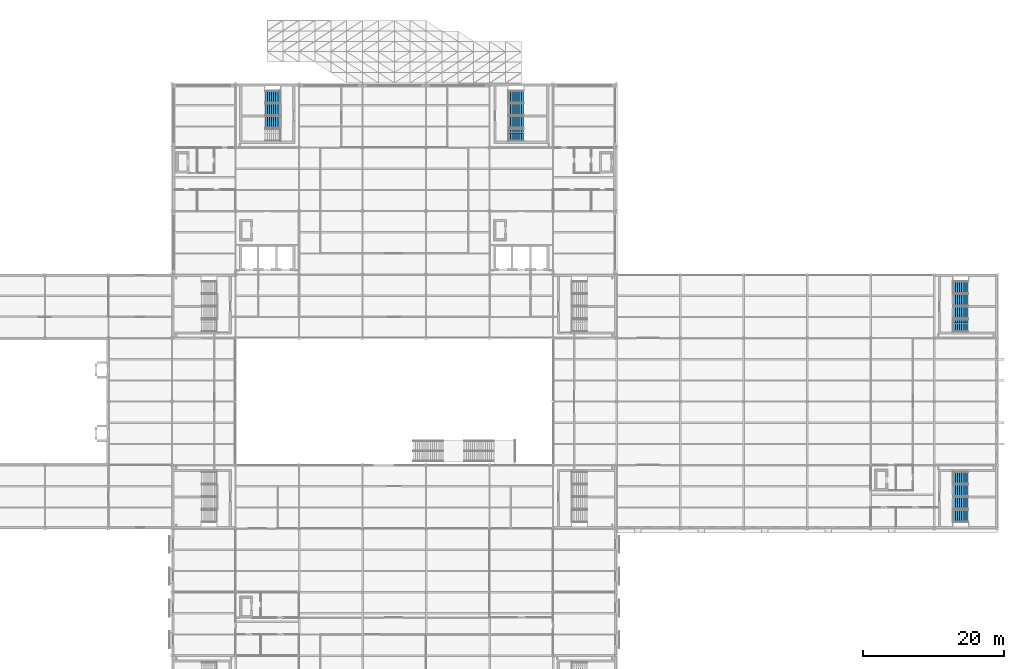
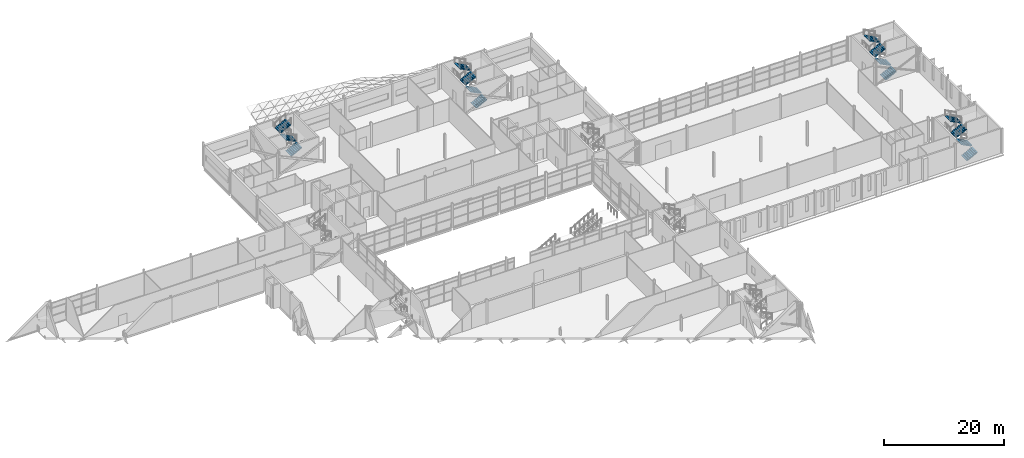
# One storey, part 93 of 112: 15 stair flights, 4 elements without a shape of their own.
"""IFC4 building model written with IfcOpenShell, lengths in metres."""

import ifcopenshell
import ifcopenshell.guid

model = None  # the IFC model being written
_history = None  # IfcOwnerHistory: only IFC2X3 demands one
_inside = {}  # id of a spatial element -> (the spatial element, [elements in it])
_under = {}  # id of a project, library or spatial element -> (it, [spatial elements below it])
_declared = {}  # id of a project -> (the project, [libraries it declares])
_typed = {}  # id of a type object -> (the type object, [elements of that type])
_made_of = {}  # id of a material, layer set ... -> (it, [elements and type objects made of it])


def new_model(schema):
    """Start an empty IFC model of exactly this schema.

    Asked for "IFC4X3", IfcOpenShell would pick the latest addendum, in which some entities
    have other attributes; the version numbers below select the first issue.
    IFC2X3 requires an IfcOwnerHistory on every rooted entity: one is made here for all.
    """
    global model, _history
    if schema == "IFC4X3":
        model = ifcopenshell.file(schema_version=(4, 3, 0, 0))
    else:
        model = ifcopenshell.file(schema=schema)
    _inside.clear()
    _under.clear()
    _declared.clear()
    _typed.clear()
    _made_of.clear()
    _history = None
    if model.schema == "IFC2X3":
        org = make("IfcOrganization", Name="unknown")
        user = make(
            "IfcPersonAndOrganization",
            ThePerson=make("IfcPerson", FamilyName="unknown"),
            TheOrganization=org,
        )
        app = make(
            "IfcApplication",
            ApplicationDeveloper=org,
            Version="unknown",
            ApplicationFullName="unknown",
            ApplicationIdentifier="unknown",
        )
        _history = make(
            "IfcOwnerHistory",
            OwningUser=user,
            OwningApplication=app,
            ChangeAction="ADDED",
            CreationDate=0,
        )
    return model


def make(cls, **values):
    """One entity of the class cls with the attributes given. An attribute that is None is left unset."""
    return model.create_entity(
        cls, **{name: value for name, value in values.items() if value is not None}
    )


def rooted(cls, **values):
    """An entity with a GlobalId (a new one), such as an element, a storey or a relation."""
    return make(cls, GlobalId=ifcopenshell.guid.new(), OwnerHistory=_history, **values)


def si_unit(unit_type, name, prefix=None):
    """IfcSIUnit, for example si_unit("LENGTHUNIT", "METRE", prefix="MILLI")."""
    return make("IfcSIUnit", UnitType=unit_type, Prefix=prefix, Name=name)


def assignment(units):
    """IfcUnitAssignment: the units of a project."""
    return None if units is None else make("IfcUnitAssignment", Units=units)


def point(xyz):
    """IfcCartesianPoint."""
    return None if xyz is None else make("IfcCartesianPoint", Coordinates=xyz)


def direction(xyz):
    """IfcDirection."""
    return None if xyz is None else make("IfcDirection", DirectionRatios=xyz)


def frame(location, z_axis=None, x_axis=None):
    """IfcAxis2Placement3D, a coordinate frame: its origin and axes. An axis left out is left unset."""
    return make(
        "IfcAxis2Placement3D",
        Location=point(location),
        Axis=direction(z_axis),
        RefDirection=direction(x_axis),
    )


def origin():
    """The frame at (0, 0, 0) with its axes left unset."""
    return frame((0.0, 0.0, 0.0))


def place(relative_to, where):
    """IfcLocalPlacement: puts the frame where relative to a parent placement (None: the world)."""
    return make(
        "IfcLocalPlacement", PlacementRelTo=relative_to, RelativePlacement=where
    )


def context(
    kind, dimensions, precision=None, world=None, true_north=None, identifier=None
):
    """IfcGeometricRepresentationContext, for example the 3D "Model" context."""
    return make(
        "IfcGeometricRepresentationContext",
        ContextIdentifier=identifier,
        ContextType=kind,
        CoordinateSpaceDimension=dimensions,
        Precision=precision,
        WorldCoordinateSystem=world,
        TrueNorth=true_north,
    )


def subcontext(parent, identifier, kind, view, scale=None):
    """IfcGeometricRepresentationSubContext, for example "Body" below "Model"."""
    return make(
        "IfcGeometricRepresentationSubContext",
        ContextIdentifier=identifier,
        ContextType=kind,
        ParentContext=parent,
        TargetScale=scale,
        TargetView=view,
    )


def project(units=None, contexts=None):
    """IfcProject with its units and contexts."""
    return rooted(
        "IfcProject",
        Name="project",
        RepresentationContexts=contexts,
        UnitsInContext=assignment(units),
    )


def spatial(cls, under=None, at=None, **own):
    """A site, building, storey or space (cls), placed at a placement, below another one or the project."""
    s = rooted(cls, ObjectPlacement=at, **own)
    if under is not None:
        _under.setdefault(under.id(), (under, []))[1].append(s)
    return s


def polyline(points):
    """IfcPolyline through the points."""
    return make("IfcPolyline", Points=[point(p) for p in points])


def outline(outer, holes=None, kind="AREA"):
    """IfcArbitraryClosedProfileDef: a profile drawn as a closed curve; with holes, ...WithVoids."""
    if holes is None:
        return make("IfcArbitraryClosedProfileDef", ProfileType=kind, OuterCurve=outer)
    return make(
        "IfcArbitraryProfileDefWithVoids",
        ProfileType=kind,
        OuterCurve=outer,
        InnerCurves=holes,
    )


def extrude(swept, where, along, depth):
    """IfcExtrudedAreaSolid: the profile swept, set in the frame where, extruded along a direction by depth."""
    return make(
        "IfcExtrudedAreaSolid",
        SweptArea=swept,
        Position=where,
        ExtrudedDirection=direction(along),
        Depth=depth,
    )


def shape(context_of_items, identifier, shape_type, items):
    """IfcShapeRepresentation: the items that make up one representation, for example the "Body"."""
    return make(
        "IfcShapeRepresentation",
        ContextOfItems=context_of_items,
        RepresentationIdentifier=identifier,
        RepresentationType=shape_type,
        Items=items,
    )


def material(Name=None, Category=None):
    """IfcMaterial."""
    return make("IfcMaterial", Name=Name, Category=Category)


def made_of(thing, what):
    """Note that an element or type object is made of a material, layer set ...; save() writes the relation."""
    if what is not None:
        _made_of.setdefault(what.id(), (what, []))[1].append(thing)
    return thing


def type_object(cls, material=None, **own):
    """A type object (cls), such as IfcWallType, which elements share."""
    return made_of(rooted(cls, **own), material)


def element(
    cls,
    number,
    at=None,
    inside=None,
    cuts=None,
    type_object=None,
    material=None,
    context=None,
    identifier="Body",
    shape_type=None,
    held_by="IfcProductDefinitionShape",
    body=None,
    shapes=None,
    **own,
):
    """One element of the class cls, such as IfcWall. Its Tag is "e" and its number.

    at: its placement. inside: the storey or other place that contains it. cuts: it is an
    opening in that element (IfcRelVoidsElement). A single representation is given by context,
    identifier, shape_type and body (its items); several are given by shapes. held_by: the class
    of the entity that holds the representations. save() writes the other relations.
    """
    e = rooted(cls, Tag="e%d" % number, ObjectPlacement=at, **own)
    if body is not None:
        shapes = [shape(context, identifier, shape_type, body)]
    if shapes is not None:
        e.Representation = make(held_by, Representations=shapes)
    if inside is not None:
        _inside.setdefault(inside.id(), (inside, []))[1].append(e)
    if cuts is not None:
        rooted(
            "IfcRelVoidsElement", RelatingBuildingElement=cuts, RelatedOpeningElement=e
        )
    if type_object is not None:
        _typed.setdefault(type_object.id(), (type_object, []))[1].append(e)
    return made_of(e, material)


def aggregate(whole, parts):
    """IfcRelAggregates: a whole, such as a stair, and the parts it consists of."""
    return rooted("IfcRelAggregates", RelatingObject=whole, RelatedObjects=parts)


def save(model, path):
    """Write the relations noted so far, then the file.

    IfcRelAggregates (storeys below a building ...), IfcRelContainedInSpatialStructure (elements
    in a storey), IfcRelDefinesByType, IfcRelAssociatesMaterial and IfcRelDeclares: one each for
    every whole, place, type object, material and project.
    """
    for whole, parts in _under.values():
        aggregate(whole, parts)
    for where, things in _inside.values():
        rooted(
            "IfcRelContainedInSpatialStructure",
            RelatedElements=things,
            RelatingStructure=where,
        )
    for kind, things in _typed.values():
        rooted("IfcRelDefinesByType", RelatedObjects=things, RelatingType=kind)
    for what, things in _made_of.values():
        rooted("IfcRelAssociatesMaterial", RelatedObjects=things, RelatingMaterial=what)
    for by, libraries in _declared.values():
        rooted("IfcRelDeclares", RelatingContext=by, RelatedDefinitions=libraries)
    model.write(path)


model = new_model("IFC4")

# Units and contexts
model_context = context("Model", 3, precision=1e-05, world=origin(), true_north=direction((0.0, 1.0)))
body_context = subcontext(model_context, "Body", "Model", "MODEL_VIEW")
ifc_project = project(units=[si_unit("LENGTHUNIT", "METRE"), si_unit("AREAUNIT", "SQUARE_METRE"), si_unit("VOLUMEUNIT", "CUBIC_METRE"), si_unit("PLANEANGLEUNIT", "RADIAN"), si_unit("MASSUNIT", "GRAM", prefix="KILO")], contexts=[model_context])

# Site, building, storey
site_placement = place(None, origin())
site = spatial("IfcSite", under=ifc_project, at=site_placement, CompositionType="ELEMENT")
building_placement = place(site_placement, origin())
building = spatial("IfcBuilding", under=site, at=building_placement, Name="Shorebreak Coast Museum", CompositionType="ELEMENT")
storey_placement = place(building_placement, frame((0.0, 0.0, 6.0)))
storey = spatial("IfcBuildingStorey", under=building, at=storey_placement, Name="L01", CompositionType="ELEMENT", Elevation=6.0)

# Stair, stair flights
ifc_material_1 = material(Name="Concrete N40 (40 MPa)", Category="concrete")
stair_type = type_object("IfcStairType", Name="Stair run 5 m", PredefinedType="DOUBLE_RETURN_STAIR", material=ifc_material_1)
stair_1_placement = place(storey_placement, origin())
stair_1 = element("IfcStair", 1, at=stair_1_placement, inside=storey, type_object=stair_type, Name="Exit stair ST07-L01", PredefinedType="DOUBLE_RETURN_STAIR")
ifc_material_2 = material(Name="Concrete N40 (40 MPa)", Category="concrete")
stair_flight_type = type_object("IfcStairFlightType", Name="Stair flight 8 risers 156.25", PredefinedType="STRAIGHT", material=ifc_material_2)
stair_flight_1_placement = place(storey_placement, frame((164.699951171875, 55.800048828125, 0.0), z_axis=(0.0, 0.0, 1.0), x_axis=(1.0, 0.0, 0.0)))
stair_flight_1 = element("IfcStairFlight", 2, at=stair_flight_1_placement, type_object=stair_flight_type, Name="ST07-L01 flight 1", NumberOfRisers=8, NumberOfTreads=7, PredefinedType="STRAIGHT", RiserHeight=0.15625, TreadLength=0.3, context=body_context, shape_type="SweptSolid", body=[
    extrude(outline(polyline([(0.0, 0.0), (0.0, 0.15625), (0.300048828125, 0.15625), (0.300048828125, 0.3125), (0.60009765625, 0.3125), (0.60009765625, 0.46875), (0.89990234375, 0.46875), (0.89990234375, 0.625), (1.199951171875, 0.625), (1.199951171875, 0.78125), (1.5, 0.78125), (1.5, 0.9375), (1.800048828125, 0.9375), (1.800048828125, 1.09375), (2.10009765625, 1.09375), (2.10009765625, 1.25), (2.10009765625, 0.9248046875), (0.324462890625, 0.0), (0.0, 0.0)])), frame((0.0, 0.89990234375, 0.0), z_axis=(0.0, -1.0, 0.0), x_axis=(1.0, 0.0, 0.0)), (0.0, 0.0, 1.0), 0.59326171875),
    extrude(outline(polyline([(0.0, 0.0), (0.0, 0.15625), (0.300048828125, 0.15625), (0.300048828125, 0.3125), (0.60009765625, 0.3125), (0.60009765625, 0.46875), (0.89990234375, 0.46875), (0.89990234375, 0.625), (1.199951171875, 0.625), (1.199951171875, 0.78125), (1.5, 0.78125), (1.5, 0.9375), (1.800048828125, 0.9375), (1.800048828125, 1.09375), (2.10009765625, 1.09375), (2.10009765625, 1.25), (2.10009765625, 0.9248046875), (0.324462890625, 0.0), (0.0, 0.0)])), frame((0.0, 0.296630859375, 0.0), z_axis=(0.0, -1.0, 0.0), x_axis=(1.0, 0.0, 0.0)), (0.0, 0.0, 1.0), 0.59326171875),
    extrude(outline(polyline([(0.0, 0.0), (0.0, 0.15625), (0.300048828125, 0.15625), (0.300048828125, 0.3125), (0.60009765625, 0.3125), (0.60009765625, 0.46875), (0.89990234375, 0.46875), (0.89990234375, 0.625), (1.199951171875, 0.625), (1.199951171875, 0.78125), (1.5, 0.78125), (1.5, 0.9375), (1.800048828125, 0.9375), (1.800048828125, 1.09375), (2.10009765625, 1.09375), (2.10009765625, 1.25), (2.10009765625, 0.9248046875), (0.324462890625, 0.0), (0.0, 0.0)])), frame((0.0, -0.306640625, 0.0), z_axis=(0.0, -1.0, 0.0), x_axis=(1.0, 0.0, 0.0)), (0.0, 0.0, 1.0), 0.59326171875),
])
stair_flight_2_placement = place(storey_placement, frame((166.800048828125, 57.60009765625, 1.25), z_axis=(0.0, 0.0, 1.0), x_axis=(-1.0, 0.0, 0.0)))
stair_flight_2 = element("IfcStairFlight", 3, at=stair_flight_2_placement, type_object=stair_flight_type, Name="ST07-L01 flight 2", NumberOfRisers=8, NumberOfTreads=7, PredefinedType="STRAIGHT", RiserHeight=0.15625, TreadLength=0.3, context=body_context, shape_type="SweptSolid", body=[
    extrude(outline(polyline([(0.0, 0.0), (0.0, 0.15625), (0.300048828125, 0.15625), (0.300048828125, 0.3125), (0.60009765625, 0.3125), (0.60009765625, 0.46875), (0.89990234375, 0.46875), (0.89990234375, 0.625), (1.199951171875, 0.625), (1.199951171875, 0.78125), (1.5, 0.78125), (1.5, 0.9375), (1.800048828125, 0.9375), (1.800048828125, 1.09375), (2.10009765625, 1.09375), (2.10009765625, 1.25), (2.10009765625, 0.9248046875), (0.324462890625, 0.0), (0.0, 0.0)])), frame((0.0, 0.89990234375, 0.0), z_axis=(0.0, -1.0, 0.0), x_axis=(1.0, 0.0, 0.0)), (0.0, 0.0, 1.0), 0.59326171875),
    extrude(outline(polyline([(0.0, 0.0), (0.0, 0.15625), (0.300048828125, 0.15625), (0.300048828125, 0.3125), (0.60009765625, 0.3125), (0.60009765625, 0.46875), (0.89990234375, 0.46875), (0.89990234375, 0.625), (1.199951171875, 0.625), (1.199951171875, 0.78125), (1.5, 0.78125), (1.5, 0.9375), (1.800048828125, 0.9375), (1.800048828125, 1.09375), (2.10009765625, 1.09375), (2.10009765625, 1.25), (2.10009765625, 0.9248046875), (0.324462890625, 0.0), (0.0, 0.0)])), frame((0.0, 0.296630859375, 0.0), z_axis=(0.0, -1.0, 0.0), x_axis=(1.0, 0.0, 0.0)), (0.0, 0.0, 1.0), 0.59326171875),
    extrude(outline(polyline([(0.0, 0.0), (0.0, 0.15625), (0.300048828125, 0.15625), (0.300048828125, 0.3125), (0.60009765625, 0.3125), (0.60009765625, 0.46875), (0.89990234375, 0.46875), (0.89990234375, 0.625), (1.199951171875, 0.625), (1.199951171875, 0.78125), (1.5, 0.78125), (1.5, 0.9375), (1.800048828125, 0.9375), (1.800048828125, 1.09375), (2.10009765625, 1.09375), (2.10009765625, 1.25), (2.10009765625, 0.9248046875), (0.324462890625, 0.0), (0.0, 0.0)])), frame((0.0, -0.306640625, 0.0), z_axis=(0.0, -1.0, 0.0), x_axis=(1.0, 0.0, 0.0)), (0.0, 0.0, 1.0), 0.59326171875),
])
stair_flight_3_placement = place(storey_placement, frame((164.699951171875, 59.39990234375, 2.5), z_axis=(0.0, 0.0, 1.0), x_axis=(1.0, 0.0, 0.0)))
stair_flight_3 = element("IfcStairFlight", 4, at=stair_flight_3_placement, type_object=stair_flight_type, Name="ST07-L01 flight 3", NumberOfRisers=8, NumberOfTreads=7, PredefinedType="STRAIGHT", RiserHeight=0.15625, TreadLength=0.3, context=body_context, shape_type="SweptSolid", body=[
    extrude(outline(polyline([(0.0, 0.0), (0.0, 0.15625), (0.300048828125, 0.15625), (0.300048828125, 0.3125), (0.60009765625, 0.3125), (0.60009765625, 0.46875), (0.89990234375, 0.46875), (0.89990234375, 0.625), (1.199951171875, 0.625), (1.199951171875, 0.78125), (1.5, 0.78125), (1.5, 0.9375), (1.800048828125, 0.9375), (1.800048828125, 1.09375), (2.10009765625, 1.09375), (2.10009765625, 1.25), (2.10009765625, 0.9248046875), (0.324462890625, 0.0), (0.0, 0.0)])), frame((0.0, 0.89990234375, 0.0), z_axis=(0.0, -1.0, 0.0), x_axis=(1.0, 0.0, 0.0)), (0.0, 0.0, 1.0), 0.59326171875),
    extrude(outline(polyline([(0.0, 0.0), (0.0, 0.15625), (0.300048828125, 0.15625), (0.300048828125, 0.3125), (0.60009765625, 0.3125), (0.60009765625, 0.46875), (0.89990234375, 0.46875), (0.89990234375, 0.625), (1.199951171875, 0.625), (1.199951171875, 0.78125), (1.5, 0.78125), (1.5, 0.9375), (1.800048828125, 0.9375), (1.800048828125, 1.09375), (2.10009765625, 1.09375), (2.10009765625, 1.25), (2.10009765625, 0.9248046875), (0.324462890625, 0.0), (0.0, 0.0)])), frame((0.0, 0.296630859375, 0.0), z_axis=(0.0, -1.0, 0.0), x_axis=(1.0, 0.0, 0.0)), (0.0, 0.0, 1.0), 0.59326171875),
    extrude(outline(polyline([(0.0, 0.0), (0.0, 0.15625), (0.300048828125, 0.15625), (0.300048828125, 0.3125), (0.60009765625, 0.3125), (0.60009765625, 0.46875), (0.89990234375, 0.46875), (0.89990234375, 0.625), (1.199951171875, 0.625), (1.199951171875, 0.78125), (1.5, 0.78125), (1.5, 0.9375), (1.800048828125, 0.9375), (1.800048828125, 1.09375), (2.10009765625, 1.09375), (2.10009765625, 1.25), (2.10009765625, 0.9248046875), (0.324462890625, 0.0), (0.0, 0.0)])), frame((0.0, -0.306640625, 0.0), z_axis=(0.0, -1.0, 0.0), x_axis=(1.0, 0.0, 0.0)), (0.0, 0.0, 1.0), 0.59326171875),
])
stair_flight_4_placement = place(storey_placement, frame((166.800048828125, 61.199951171875, 3.75), z_axis=(0.0, 0.0, 1.0), x_axis=(-1.0, 0.0, 0.0)))
stair_flight_4 = element("IfcStairFlight", 5, at=stair_flight_4_placement, type_object=stair_flight_type, Name="ST07-L01 flight 4", NumberOfRisers=8, NumberOfTreads=7, PredefinedType="STRAIGHT", RiserHeight=0.15625, TreadLength=0.3, context=body_context, shape_type="SweptSolid", body=[
    extrude(outline(polyline([(0.0, 0.0), (0.0, 0.15625), (0.300048828125, 0.15625), (0.300048828125, 0.3125), (0.60009765625, 0.3125), (0.60009765625, 0.46875), (0.89990234375, 0.46875), (0.89990234375, 0.625), (1.199951171875, 0.625), (1.199951171875, 0.78125), (1.5, 0.78125), (1.5, 0.9375), (1.800048828125, 0.9375), (1.800048828125, 1.09375), (2.10009765625, 1.09375), (2.10009765625, 1.25), (2.10009765625, 0.9248046875), (0.324462890625, 0.0), (0.0, 0.0)])), frame((0.0, 0.89990234375, 0.0), z_axis=(0.0, -1.0, 0.0), x_axis=(1.0, 0.0, 0.0)), (0.0, 0.0, 1.0), 0.59326171875),
    extrude(outline(polyline([(0.0, 0.0), (0.0, 0.15625), (0.300048828125, 0.15625), (0.300048828125, 0.3125), (0.60009765625, 0.3125), (0.60009765625, 0.46875), (0.89990234375, 0.46875), (0.89990234375, 0.625), (1.199951171875, 0.625), (1.199951171875, 0.78125), (1.5, 0.78125), (1.5, 0.9375), (1.800048828125, 0.9375), (1.800048828125, 1.09375), (2.10009765625, 1.09375), (2.10009765625, 1.25), (2.10009765625, 0.9248046875), (0.324462890625, 0.0), (0.0, 0.0)])), frame((0.0, 0.296630859375, 0.0), z_axis=(0.0, -1.0, 0.0), x_axis=(1.0, 0.0, 0.0)), (0.0, 0.0, 1.0), 0.59326171875),
    extrude(outline(polyline([(0.0, 0.0), (0.0, 0.15625), (0.300048828125, 0.15625), (0.300048828125, 0.3125), (0.60009765625, 0.3125), (0.60009765625, 0.46875), (0.89990234375, 0.46875), (0.89990234375, 0.625), (1.199951171875, 0.625), (1.199951171875, 0.78125), (1.5, 0.78125), (1.5, 0.9375), (1.800048828125, 0.9375), (1.800048828125, 1.09375), (2.10009765625, 1.09375), (2.10009765625, 1.25), (2.10009765625, 0.9248046875), (0.324462890625, 0.0), (0.0, 0.0)])), frame((0.0, -0.306640625, 0.0), z_axis=(0.0, -1.0, 0.0), x_axis=(1.0, 0.0, 0.0)), (0.0, 0.0, 1.0), 0.59326171875),
])
aggregate(stair_1, [stair_flight_1, stair_flight_2, stair_flight_3, stair_flight_4])

stair_2_placement = place(storey_placement, origin())
stair_2 = element("IfcStair", 6, at=stair_2_placement, inside=storey, type_object=stair_type, Name="Exit stair ST08-L01", PredefinedType="DOUBLE_RETURN_STAIR")
stair_flight_5_placement = place(storey_placement, frame((164.699951171875, 82.800048828125, 0.0), z_axis=(0.0, 0.0, 1.0), x_axis=(1.0, 0.0, 0.0)))
stair_flight_5 = element("IfcStairFlight", 7, at=stair_flight_5_placement, type_object=stair_flight_type, Name="ST08-L01 flight 1", NumberOfRisers=8, NumberOfTreads=7, PredefinedType="STRAIGHT", RiserHeight=0.15625, TreadLength=0.3, context=body_context, shape_type="SweptSolid", body=[
    extrude(outline(polyline([(0.0, 0.0), (0.0, 0.15625), (0.300048828125, 0.15625), (0.300048828125, 0.3125), (0.60009765625, 0.3125), (0.60009765625, 0.46875), (0.89990234375, 0.46875), (0.89990234375, 0.625), (1.199951171875, 0.625), (1.199951171875, 0.78125), (1.5, 0.78125), (1.5, 0.9375), (1.800048828125, 0.9375), (1.800048828125, 1.09375), (2.10009765625, 1.09375), (2.10009765625, 1.25), (2.10009765625, 0.9248046875), (0.324462890625, 0.0), (0.0, 0.0)])), frame((0.0, 0.89990234375, 0.0), z_axis=(0.0, -1.0, 0.0), x_axis=(1.0, 0.0, 0.0)), (0.0, 0.0, 1.0), 0.59326171875),
    extrude(outline(polyline([(0.0, 0.0), (0.0, 0.15625), (0.300048828125, 0.15625), (0.300048828125, 0.3125), (0.60009765625, 0.3125), (0.60009765625, 0.46875), (0.89990234375, 0.46875), (0.89990234375, 0.625), (1.199951171875, 0.625), (1.199951171875, 0.78125), (1.5, 0.78125), (1.5, 0.9375), (1.800048828125, 0.9375), (1.800048828125, 1.09375), (2.10009765625, 1.09375), (2.10009765625, 1.25), (2.10009765625, 0.9248046875), (0.324462890625, 0.0), (0.0, 0.0)])), frame((0.0, 0.296630859375, 0.0), z_axis=(0.0, -1.0, 0.0), x_axis=(1.0, 0.0, 0.0)), (0.0, 0.0, 1.0), 0.59326171875),
    extrude(outline(polyline([(0.0, 0.0), (0.0, 0.15625), (0.300048828125, 0.15625), (0.300048828125, 0.3125), (0.60009765625, 0.3125), (0.60009765625, 0.46875), (0.89990234375, 0.46875), (0.89990234375, 0.625), (1.199951171875, 0.625), (1.199951171875, 0.78125), (1.5, 0.78125), (1.5, 0.9375), (1.800048828125, 0.9375), (1.800048828125, 1.09375), (2.10009765625, 1.09375), (2.10009765625, 1.25), (2.10009765625, 0.9248046875), (0.324462890625, 0.0), (0.0, 0.0)])), frame((0.0, -0.306640625, 0.0), z_axis=(0.0, -1.0, 0.0), x_axis=(1.0, 0.0, 0.0)), (0.0, 0.0, 1.0), 0.59326171875),
])
stair_flight_6_placement = place(storey_placement, frame((166.800048828125, 84.60009765625, 1.25), z_axis=(0.0, 0.0, 1.0), x_axis=(-1.0, 0.0, 0.0)))
stair_flight_6 = element("IfcStairFlight", 8, at=stair_flight_6_placement, type_object=stair_flight_type, Name="ST08-L01 flight 2", NumberOfRisers=8, NumberOfTreads=7, PredefinedType="STRAIGHT", RiserHeight=0.15625, TreadLength=0.3, context=body_context, shape_type="SweptSolid", body=[
    extrude(outline(polyline([(0.0, 0.0), (0.0, 0.15625), (0.300048828125, 0.15625), (0.300048828125, 0.3125), (0.60009765625, 0.3125), (0.60009765625, 0.46875), (0.89990234375, 0.46875), (0.89990234375, 0.625), (1.199951171875, 0.625), (1.199951171875, 0.78125), (1.5, 0.78125), (1.5, 0.9375), (1.800048828125, 0.9375), (1.800048828125, 1.09375), (2.10009765625, 1.09375), (2.10009765625, 1.25), (2.10009765625, 0.9248046875), (0.324462890625, 0.0), (0.0, 0.0)])), frame((0.0, 0.89990234375, 0.0), z_axis=(0.0, -1.0, 0.0), x_axis=(1.0, 0.0, 0.0)), (0.0, 0.0, 1.0), 0.59326171875),
    extrude(outline(polyline([(0.0, 0.0), (0.0, 0.15625), (0.300048828125, 0.15625), (0.300048828125, 0.3125), (0.60009765625, 0.3125), (0.60009765625, 0.46875), (0.89990234375, 0.46875), (0.89990234375, 0.625), (1.199951171875, 0.625), (1.199951171875, 0.78125), (1.5, 0.78125), (1.5, 0.9375), (1.800048828125, 0.9375), (1.800048828125, 1.09375), (2.10009765625, 1.09375), (2.10009765625, 1.25), (2.10009765625, 0.9248046875), (0.324462890625, 0.0), (0.0, 0.0)])), frame((0.0, 0.296630859375, 0.0), z_axis=(0.0, -1.0, 0.0), x_axis=(1.0, 0.0, 0.0)), (0.0, 0.0, 1.0), 0.59326171875),
    extrude(outline(polyline([(0.0, 0.0), (0.0, 0.15625), (0.300048828125, 0.15625), (0.300048828125, 0.3125), (0.60009765625, 0.3125), (0.60009765625, 0.46875), (0.89990234375, 0.46875), (0.89990234375, 0.625), (1.199951171875, 0.625), (1.199951171875, 0.78125), (1.5, 0.78125), (1.5, 0.9375), (1.800048828125, 0.9375), (1.800048828125, 1.09375), (2.10009765625, 1.09375), (2.10009765625, 1.25), (2.10009765625, 0.9248046875), (0.324462890625, 0.0), (0.0, 0.0)])), frame((0.0, -0.306640625, 0.0), z_axis=(0.0, -1.0, 0.0), x_axis=(1.0, 0.0, 0.0)), (0.0, 0.0, 1.0), 0.59326171875),
])
stair_flight_7_placement = place(storey_placement, frame((164.699951171875, 86.39990234375, 2.5), z_axis=(0.0, 0.0, 1.0), x_axis=(1.0, 0.0, 0.0)))
stair_flight_7 = element("IfcStairFlight", 9, at=stair_flight_7_placement, type_object=stair_flight_type, Name="ST08-L01 flight 3", NumberOfRisers=8, NumberOfTreads=7, PredefinedType="STRAIGHT", RiserHeight=0.15625, TreadLength=0.3, context=body_context, shape_type="SweptSolid", body=[
    extrude(outline(polyline([(0.0, 0.0), (0.0, 0.15625), (0.300048828125, 0.15625), (0.300048828125, 0.3125), (0.60009765625, 0.3125), (0.60009765625, 0.46875), (0.89990234375, 0.46875), (0.89990234375, 0.625), (1.199951171875, 0.625), (1.199951171875, 0.78125), (1.5, 0.78125), (1.5, 0.9375), (1.800048828125, 0.9375), (1.800048828125, 1.09375), (2.10009765625, 1.09375), (2.10009765625, 1.25), (2.10009765625, 0.9248046875), (0.324462890625, 0.0), (0.0, 0.0)])), frame((0.0, 0.89990234375, 0.0), z_axis=(0.0, -1.0, 0.0), x_axis=(1.0, 0.0, 0.0)), (0.0, 0.0, 1.0), 0.59326171875),
    extrude(outline(polyline([(0.0, 0.0), (0.0, 0.15625), (0.300048828125, 0.15625), (0.300048828125, 0.3125), (0.60009765625, 0.3125), (0.60009765625, 0.46875), (0.89990234375, 0.46875), (0.89990234375, 0.625), (1.199951171875, 0.625), (1.199951171875, 0.78125), (1.5, 0.78125), (1.5, 0.9375), (1.800048828125, 0.9375), (1.800048828125, 1.09375), (2.10009765625, 1.09375), (2.10009765625, 1.25), (2.10009765625, 0.9248046875), (0.324462890625, 0.0), (0.0, 0.0)])), frame((0.0, 0.296630859375, 0.0), z_axis=(0.0, -1.0, 0.0), x_axis=(1.0, 0.0, 0.0)), (0.0, 0.0, 1.0), 0.59326171875),
    extrude(outline(polyline([(0.0, 0.0), (0.0, 0.15625), (0.300048828125, 0.15625), (0.300048828125, 0.3125), (0.60009765625, 0.3125), (0.60009765625, 0.46875), (0.89990234375, 0.46875), (0.89990234375, 0.625), (1.199951171875, 0.625), (1.199951171875, 0.78125), (1.5, 0.78125), (1.5, 0.9375), (1.800048828125, 0.9375), (1.800048828125, 1.09375), (2.10009765625, 1.09375), (2.10009765625, 1.25), (2.10009765625, 0.9248046875), (0.324462890625, 0.0), (0.0, 0.0)])), frame((0.0, -0.306640625, 0.0), z_axis=(0.0, -1.0, 0.0), x_axis=(1.0, 0.0, 0.0)), (0.0, 0.0, 1.0), 0.59326171875),
])
stair_flight_8_placement = place(storey_placement, frame((166.800048828125, 88.199951171875, 3.75), z_axis=(0.0, 0.0, 1.0), x_axis=(-1.0, 0.0, 0.0)))
stair_flight_8 = element("IfcStairFlight", 10, at=stair_flight_8_placement, type_object=stair_flight_type, Name="ST08-L01 flight 4", NumberOfRisers=8, NumberOfTreads=7, PredefinedType="STRAIGHT", RiserHeight=0.15625, TreadLength=0.3, context=body_context, shape_type="SweptSolid", body=[
    extrude(outline(polyline([(0.0, 0.0), (0.0, 0.15625), (0.300048828125, 0.15625), (0.300048828125, 0.3125), (0.60009765625, 0.3125), (0.60009765625, 0.46875), (0.89990234375, 0.46875), (0.89990234375, 0.625), (1.199951171875, 0.625), (1.199951171875, 0.78125), (1.5, 0.78125), (1.5, 0.9375), (1.800048828125, 0.9375), (1.800048828125, 1.09375), (2.10009765625, 1.09375), (2.10009765625, 1.25), (2.10009765625, 0.9248046875), (0.324462890625, 0.0), (0.0, 0.0)])), frame((0.0, 0.89990234375, 0.0), z_axis=(0.0, -1.0, 0.0), x_axis=(1.0, 0.0, 0.0)), (0.0, 0.0, 1.0), 0.59326171875),
    extrude(outline(polyline([(0.0, 0.0), (0.0, 0.15625), (0.300048828125, 0.15625), (0.300048828125, 0.3125), (0.60009765625, 0.3125), (0.60009765625, 0.46875), (0.89990234375, 0.46875), (0.89990234375, 0.625), (1.199951171875, 0.625), (1.199951171875, 0.78125), (1.5, 0.78125), (1.5, 0.9375), (1.800048828125, 0.9375), (1.800048828125, 1.09375), (2.10009765625, 1.09375), (2.10009765625, 1.25), (2.10009765625, 0.9248046875), (0.324462890625, 0.0), (0.0, 0.0)])), frame((0.0, 0.296630859375, 0.0), z_axis=(0.0, -1.0, 0.0), x_axis=(1.0, 0.0, 0.0)), (0.0, 0.0, 1.0), 0.59326171875),
    extrude(outline(polyline([(0.0, 0.0), (0.0, 0.15625), (0.300048828125, 0.15625), (0.300048828125, 0.3125), (0.60009765625, 0.3125), (0.60009765625, 0.46875), (0.89990234375, 0.46875), (0.89990234375, 0.625), (1.199951171875, 0.625), (1.199951171875, 0.78125), (1.5, 0.78125), (1.5, 0.9375), (1.800048828125, 0.9375), (1.800048828125, 1.09375), (2.10009765625, 1.09375), (2.10009765625, 1.25), (2.10009765625, 0.9248046875), (0.324462890625, 0.0), (0.0, 0.0)])), frame((0.0, -0.306640625, 0.0), z_axis=(0.0, -1.0, 0.0), x_axis=(1.0, 0.0, 0.0)), (0.0, 0.0, 1.0), 0.59326171875),
])
aggregate(stair_2, [stair_flight_5, stair_flight_6, stair_flight_7, stair_flight_8])

stair_3_placement = place(storey_placement, origin())
stair_3 = element("IfcStair", 11, at=stair_3_placement, inside=storey, type_object=stair_type, Name="Exit stair ST09-L01", PredefinedType="DOUBLE_RETURN_STAIR")
stair_flight_9_placement = place(storey_placement, frame((67.199951171875, 111.60009765625, 1.25), z_axis=(0.0, 0.0, 1.0), x_axis=(1.0, 0.0, 0.0)))
stair_flight_9 = element("IfcStairFlight", 12, at=stair_flight_9_placement, type_object=stair_flight_type, Name="ST09-L01 flight 2", NumberOfRisers=8, NumberOfTreads=7, PredefinedType="STRAIGHT", RiserHeight=0.15625, TreadLength=0.3, context=body_context, shape_type="SweptSolid", body=[
    extrude(outline(polyline([(0.0, 0.0), (0.0, 0.15625), (0.300048828125, 0.15625), (0.300048828125, 0.3125), (0.60009765625, 0.3125), (0.60009765625, 0.46875), (0.89990234375, 0.46875), (0.89990234375, 0.625), (1.199951171875, 0.625), (1.199951171875, 0.78125), (1.5, 0.78125), (1.5, 0.9375), (1.800048828125, 0.9375), (1.800048828125, 1.09375), (2.10009765625, 1.09375), (2.10009765625, 1.25), (2.10009765625, 0.9248046875), (0.324462890625, 0.0), (0.0, 0.0)])), frame((0.0, 0.89990234375, 0.0), z_axis=(0.0, -1.0, 0.0), x_axis=(1.0, 0.0, 0.0)), (0.0, 0.0, 1.0), 0.59326171875),
    extrude(outline(polyline([(0.0, 0.0), (0.0, 0.15625), (0.300048828125, 0.15625), (0.300048828125, 0.3125), (0.60009765625, 0.3125), (0.60009765625, 0.46875), (0.89990234375, 0.46875), (0.89990234375, 0.625), (1.199951171875, 0.625), (1.199951171875, 0.78125), (1.5, 0.78125), (1.5, 0.9375), (1.800048828125, 0.9375), (1.800048828125, 1.09375), (2.10009765625, 1.09375), (2.10009765625, 1.25), (2.10009765625, 0.9248046875), (0.324462890625, 0.0), (0.0, 0.0)])), frame((0.0, 0.296630859375, 0.0), z_axis=(0.0, -1.0, 0.0), x_axis=(1.0, 0.0, 0.0)), (0.0, 0.0, 1.0), 0.59326171875),
    extrude(outline(polyline([(0.0, 0.0), (0.0, 0.15625), (0.300048828125, 0.15625), (0.300048828125, 0.3125), (0.60009765625, 0.3125), (0.60009765625, 0.46875), (0.89990234375, 0.46875), (0.89990234375, 0.625), (1.199951171875, 0.625), (1.199951171875, 0.78125), (1.5, 0.78125), (1.5, 0.9375), (1.800048828125, 0.9375), (1.800048828125, 1.09375), (2.10009765625, 1.09375), (2.10009765625, 1.25), (2.10009765625, 0.9248046875), (0.324462890625, 0.0), (0.0, 0.0)])), frame((0.0, -0.306640625, 0.0), z_axis=(0.0, -1.0, 0.0), x_axis=(1.0, 0.0, 0.0)), (0.0, 0.0, 1.0), 0.59326171875),
])
stair_flight_10_placement = place(storey_placement, frame((69.300048828125, 113.39990234375, 2.5), z_axis=(0.0, 0.0, 1.0), x_axis=(-1.0, 0.0, 0.0)))
stair_flight_10 = element("IfcStairFlight", 13, at=stair_flight_10_placement, type_object=stair_flight_type, Name="ST09-L01 flight 3", NumberOfRisers=8, NumberOfTreads=7, PredefinedType="STRAIGHT", RiserHeight=0.15625, TreadLength=0.3, context=body_context, shape_type="SweptSolid", body=[
    extrude(outline(polyline([(0.0, 0.0), (0.0, 0.15625), (0.300048828125, 0.15625), (0.300048828125, 0.3125), (0.60009765625, 0.3125), (0.60009765625, 0.46875), (0.89990234375, 0.46875), (0.89990234375, 0.625), (1.199951171875, 0.625), (1.199951171875, 0.78125), (1.5, 0.78125), (1.5, 0.9375), (1.800048828125, 0.9375), (1.800048828125, 1.09375), (2.10009765625, 1.09375), (2.10009765625, 1.25), (2.10009765625, 0.9248046875), (0.324462890625, 0.0), (0.0, 0.0)])), frame((0.0, 0.89990234375, 0.0), z_axis=(0.0, -1.0, 0.0), x_axis=(1.0, 0.0, 0.0)), (0.0, 0.0, 1.0), 0.59326171875),
    extrude(outline(polyline([(0.0, 0.0), (0.0, 0.15625), (0.300048828125, 0.15625), (0.300048828125, 0.3125), (0.60009765625, 0.3125), (0.60009765625, 0.46875), (0.89990234375, 0.46875), (0.89990234375, 0.625), (1.199951171875, 0.625), (1.199951171875, 0.78125), (1.5, 0.78125), (1.5, 0.9375), (1.800048828125, 0.9375), (1.800048828125, 1.09375), (2.10009765625, 1.09375), (2.10009765625, 1.25), (2.10009765625, 0.9248046875), (0.324462890625, 0.0), (0.0, 0.0)])), frame((0.0, 0.296630859375, 0.0), z_axis=(0.0, -1.0, 0.0), x_axis=(1.0, 0.0, 0.0)), (0.0, 0.0, 1.0), 0.59326171875),
    extrude(outline(polyline([(0.0, 0.0), (0.0, 0.15625), (0.300048828125, 0.15625), (0.300048828125, 0.3125), (0.60009765625, 0.3125), (0.60009765625, 0.46875), (0.89990234375, 0.46875), (0.89990234375, 0.625), (1.199951171875, 0.625), (1.199951171875, 0.78125), (1.5, 0.78125), (1.5, 0.9375), (1.800048828125, 0.9375), (1.800048828125, 1.09375), (2.10009765625, 1.09375), (2.10009765625, 1.25), (2.10009765625, 0.9248046875), (0.324462890625, 0.0), (0.0, 0.0)])), frame((0.0, -0.306640625, 0.0), z_axis=(0.0, -1.0, 0.0), x_axis=(1.0, 0.0, 0.0)), (0.0, 0.0, 1.0), 0.59326171875),
])
stair_flight_11_placement = place(storey_placement, frame((67.199951171875, 115.199951171875, 3.75), z_axis=(0.0, 0.0, 1.0), x_axis=(1.0, 0.0, 0.0)))
stair_flight_11 = element("IfcStairFlight", 14, at=stair_flight_11_placement, type_object=stair_flight_type, Name="ST09-L01 flight 4", NumberOfRisers=8, NumberOfTreads=7, PredefinedType="STRAIGHT", RiserHeight=0.15625, TreadLength=0.3, context=body_context, shape_type="SweptSolid", body=[
    extrude(outline(polyline([(0.0, 0.0), (0.0, 0.15625), (0.300048828125, 0.15625), (0.300048828125, 0.3125), (0.60009765625, 0.3125), (0.60009765625, 0.46875), (0.89990234375, 0.46875), (0.89990234375, 0.625), (1.199951171875, 0.625), (1.199951171875, 0.78125), (1.5, 0.78125), (1.5, 0.9375), (1.800048828125, 0.9375), (1.800048828125, 1.09375), (2.10009765625, 1.09375), (2.10009765625, 1.25), (2.10009765625, 0.9248046875), (0.324462890625, 0.0), (0.0, 0.0)])), frame((0.0, 0.89990234375, 0.0), z_axis=(0.0, -1.0, 0.0), x_axis=(1.0, 0.0, 0.0)), (0.0, 0.0, 1.0), 0.59326171875),
    extrude(outline(polyline([(0.0, 0.0), (0.0, 0.15625), (0.300048828125, 0.15625), (0.300048828125, 0.3125), (0.60009765625, 0.3125), (0.60009765625, 0.46875), (0.89990234375, 0.46875), (0.89990234375, 0.625), (1.199951171875, 0.625), (1.199951171875, 0.78125), (1.5, 0.78125), (1.5, 0.9375), (1.800048828125, 0.9375), (1.800048828125, 1.09375), (2.10009765625, 1.09375), (2.10009765625, 1.25), (2.10009765625, 0.9248046875), (0.324462890625, 0.0), (0.0, 0.0)])), frame((0.0, 0.296630859375, 0.0), z_axis=(0.0, -1.0, 0.0), x_axis=(1.0, 0.0, 0.0)), (0.0, 0.0, 1.0), 0.59326171875),
    extrude(outline(polyline([(0.0, 0.0), (0.0, 0.15625), (0.300048828125, 0.15625), (0.300048828125, 0.3125), (0.60009765625, 0.3125), (0.60009765625, 0.46875), (0.89990234375, 0.46875), (0.89990234375, 0.625), (1.199951171875, 0.625), (1.199951171875, 0.78125), (1.5, 0.78125), (1.5, 0.9375), (1.800048828125, 0.9375), (1.800048828125, 1.09375), (2.10009765625, 1.09375), (2.10009765625, 1.25), (2.10009765625, 0.9248046875), (0.324462890625, 0.0), (0.0, 0.0)])), frame((0.0, -0.306640625, 0.0), z_axis=(0.0, -1.0, 0.0), x_axis=(1.0, 0.0, 0.0)), (0.0, 0.0, 1.0), 0.59326171875),
])
aggregate(stair_3, [stair_flight_9, stair_flight_10, stair_flight_11])

stair_4_placement = place(storey_placement, origin())
stair_4 = element("IfcStair", 15, at=stair_4_placement, inside=storey, type_object=stair_type, Name="Exit stair ST10-L01", PredefinedType="DOUBLE_RETURN_STAIR")
stair_flight_12_placement = place(storey_placement, frame((101.699951171875, 109.800048828125, 0.0), z_axis=(0.0, 0.0, 1.0), x_axis=(1.0, 0.0, 0.0)))
stair_flight_12 = element("IfcStairFlight", 16, at=stair_flight_12_placement, type_object=stair_flight_type, Name="ST10-L01 flight 1", NumberOfRisers=8, NumberOfTreads=7, PredefinedType="STRAIGHT", RiserHeight=0.15625, TreadLength=0.3, context=body_context, shape_type="SweptSolid", body=[
    extrude(outline(polyline([(0.0, 0.0), (0.0, 0.15625), (0.300048828125, 0.15625), (0.300048828125, 0.3125), (0.60009765625, 0.3125), (0.60009765625, 0.46875), (0.89990234375, 0.46875), (0.89990234375, 0.625), (1.199951171875, 0.625), (1.199951171875, 0.78125), (1.5, 0.78125), (1.5, 0.9375), (1.800048828125, 0.9375), (1.800048828125, 1.09375), (2.10009765625, 1.09375), (2.10009765625, 1.25), (2.10009765625, 0.9248046875), (0.324462890625, 0.0), (0.0, 0.0)])), frame((0.0, 0.89990234375, 0.0), z_axis=(0.0, -1.0, 0.0), x_axis=(1.0, 0.0, 0.0)), (0.0, 0.0, 1.0), 0.59326171875),
    extrude(outline(polyline([(0.0, 0.0), (0.0, 0.15625), (0.300048828125, 0.15625), (0.300048828125, 0.3125), (0.60009765625, 0.3125), (0.60009765625, 0.46875), (0.89990234375, 0.46875), (0.89990234375, 0.625), (1.199951171875, 0.625), (1.199951171875, 0.78125), (1.5, 0.78125), (1.5, 0.9375), (1.800048828125, 0.9375), (1.800048828125, 1.09375), (2.10009765625, 1.09375), (2.10009765625, 1.25), (2.10009765625, 0.9248046875), (0.324462890625, 0.0), (0.0, 0.0)])), frame((0.0, 0.296630859375, 0.0), z_axis=(0.0, -1.0, 0.0), x_axis=(1.0, 0.0, 0.0)), (0.0, 0.0, 1.0), 0.59326171875),
    extrude(outline(polyline([(0.0, 0.0), (0.0, 0.15625), (0.300048828125, 0.15625), (0.300048828125, 0.3125), (0.60009765625, 0.3125), (0.60009765625, 0.46875), (0.89990234375, 0.46875), (0.89990234375, 0.625), (1.199951171875, 0.625), (1.199951171875, 0.78125), (1.5, 0.78125), (1.5, 0.9375), (1.800048828125, 0.9375), (1.800048828125, 1.09375), (2.10009765625, 1.09375), (2.10009765625, 1.25), (2.10009765625, 0.9248046875), (0.324462890625, 0.0), (0.0, 0.0)])), frame((0.0, -0.306640625, 0.0), z_axis=(0.0, -1.0, 0.0), x_axis=(1.0, 0.0, 0.0)), (0.0, 0.0, 1.0), 0.59326171875),
])
stair_flight_13_placement = place(storey_placement, frame((103.800048828125, 111.60009765625, 1.25), z_axis=(0.0, 0.0, 1.0), x_axis=(-1.0, 0.0, 0.0)))
stair_flight_13 = element("IfcStairFlight", 17, at=stair_flight_13_placement, type_object=stair_flight_type, Name="ST10-L01 flight 2", NumberOfRisers=8, NumberOfTreads=7, PredefinedType="STRAIGHT", RiserHeight=0.15625, TreadLength=0.3, context=body_context, shape_type="SweptSolid", body=[
    extrude(outline(polyline([(0.0, 0.0), (0.0, 0.15625), (0.300048828125, 0.15625), (0.300048828125, 0.3125), (0.60009765625, 0.3125), (0.60009765625, 0.46875), (0.89990234375, 0.46875), (0.89990234375, 0.625), (1.199951171875, 0.625), (1.199951171875, 0.78125), (1.5, 0.78125), (1.5, 0.9375), (1.800048828125, 0.9375), (1.800048828125, 1.09375), (2.10009765625, 1.09375), (2.10009765625, 1.25), (2.10009765625, 0.9248046875), (0.324462890625, 0.0), (0.0, 0.0)])), frame((0.0, 0.89990234375, 0.0), z_axis=(0.0, -1.0, 0.0), x_axis=(1.0, 0.0, 0.0)), (0.0, 0.0, 1.0), 0.59326171875),
    extrude(outline(polyline([(0.0, 0.0), (0.0, 0.15625), (0.300048828125, 0.15625), (0.300048828125, 0.3125), (0.60009765625, 0.3125), (0.60009765625, 0.46875), (0.89990234375, 0.46875), (0.89990234375, 0.625), (1.199951171875, 0.625), (1.199951171875, 0.78125), (1.5, 0.78125), (1.5, 0.9375), (1.800048828125, 0.9375), (1.800048828125, 1.09375), (2.10009765625, 1.09375), (2.10009765625, 1.25), (2.10009765625, 0.9248046875), (0.324462890625, 0.0), (0.0, 0.0)])), frame((0.0, 0.296630859375, 0.0), z_axis=(0.0, -1.0, 0.0), x_axis=(1.0, 0.0, 0.0)), (0.0, 0.0, 1.0), 0.59326171875),
    extrude(outline(polyline([(0.0, 0.0), (0.0, 0.15625), (0.300048828125, 0.15625), (0.300048828125, 0.3125), (0.60009765625, 0.3125), (0.60009765625, 0.46875), (0.89990234375, 0.46875), (0.89990234375, 0.625), (1.199951171875, 0.625), (1.199951171875, 0.78125), (1.5, 0.78125), (1.5, 0.9375), (1.800048828125, 0.9375), (1.800048828125, 1.09375), (2.10009765625, 1.09375), (2.10009765625, 1.25), (2.10009765625, 0.9248046875), (0.324462890625, 0.0), (0.0, 0.0)])), frame((0.0, -0.306640625, 0.0), z_axis=(0.0, -1.0, 0.0), x_axis=(1.0, 0.0, 0.0)), (0.0, 0.0, 1.0), 0.59326171875),
])
stair_flight_14_placement = place(storey_placement, frame((101.699951171875, 113.39990234375, 2.5), z_axis=(0.0, 0.0, 1.0), x_axis=(1.0, 0.0, 0.0)))
stair_flight_14 = element("IfcStairFlight", 18, at=stair_flight_14_placement, type_object=stair_flight_type, Name="ST10-L01 flight 3", NumberOfRisers=8, NumberOfTreads=7, PredefinedType="STRAIGHT", RiserHeight=0.15625, TreadLength=0.3, context=body_context, shape_type="SweptSolid", body=[
    extrude(outline(polyline([(0.0, 0.0), (0.0, 0.15625), (0.300048828125, 0.15625), (0.300048828125, 0.3125), (0.60009765625, 0.3125), (0.60009765625, 0.46875), (0.89990234375, 0.46875), (0.89990234375, 0.625), (1.199951171875, 0.625), (1.199951171875, 0.78125), (1.5, 0.78125), (1.5, 0.9375), (1.800048828125, 0.9375), (1.800048828125, 1.09375), (2.10009765625, 1.09375), (2.10009765625, 1.25), (2.10009765625, 0.9248046875), (0.324462890625, 0.0), (0.0, 0.0)])), frame((0.0, 0.89990234375, 0.0), z_axis=(0.0, -1.0, 0.0), x_axis=(1.0, 0.0, 0.0)), (0.0, 0.0, 1.0), 0.59326171875),
    extrude(outline(polyline([(0.0, 0.0), (0.0, 0.15625), (0.300048828125, 0.15625), (0.300048828125, 0.3125), (0.60009765625, 0.3125), (0.60009765625, 0.46875), (0.89990234375, 0.46875), (0.89990234375, 0.625), (1.199951171875, 0.625), (1.199951171875, 0.78125), (1.5, 0.78125), (1.5, 0.9375), (1.800048828125, 0.9375), (1.800048828125, 1.09375), (2.10009765625, 1.09375), (2.10009765625, 1.25), (2.10009765625, 0.9248046875), (0.324462890625, 0.0), (0.0, 0.0)])), frame((0.0, 0.296630859375, 0.0), z_axis=(0.0, -1.0, 0.0), x_axis=(1.0, 0.0, 0.0)), (0.0, 0.0, 1.0), 0.59326171875),
    extrude(outline(polyline([(0.0, 0.0), (0.0, 0.15625), (0.300048828125, 0.15625), (0.300048828125, 0.3125), (0.60009765625, 0.3125), (0.60009765625, 0.46875), (0.89990234375, 0.46875), (0.89990234375, 0.625), (1.199951171875, 0.625), (1.199951171875, 0.78125), (1.5, 0.78125), (1.5, 0.9375), (1.800048828125, 0.9375), (1.800048828125, 1.09375), (2.10009765625, 1.09375), (2.10009765625, 1.25), (2.10009765625, 0.9248046875), (0.324462890625, 0.0), (0.0, 0.0)])), frame((0.0, -0.306640625, 0.0), z_axis=(0.0, -1.0, 0.0), x_axis=(1.0, 0.0, 0.0)), (0.0, 0.0, 1.0), 0.59326171875),
])
stair_flight_15_placement = place(storey_placement, frame((103.800048828125, 115.199951171875, 3.75), z_axis=(0.0, 0.0, 1.0), x_axis=(-1.0, 0.0, 0.0)))
stair_flight_15 = element("IfcStairFlight", 19, at=stair_flight_15_placement, type_object=stair_flight_type, Name="ST10-L01 flight 4", NumberOfRisers=8, NumberOfTreads=7, PredefinedType="STRAIGHT", RiserHeight=0.15625, TreadLength=0.3, context=body_context, shape_type="SweptSolid", body=[
    extrude(outline(polyline([(0.0, 0.0), (0.0, 0.15625), (0.300048828125, 0.15625), (0.300048828125, 0.3125), (0.60009765625, 0.3125), (0.60009765625, 0.46875), (0.89990234375, 0.46875), (0.89990234375, 0.625), (1.199951171875, 0.625), (1.199951171875, 0.78125), (1.5, 0.78125), (1.5, 0.9375), (1.800048828125, 0.9375), (1.800048828125, 1.09375), (2.10009765625, 1.09375), (2.10009765625, 1.25), (2.10009765625, 0.9248046875), (0.324462890625, 0.0), (0.0, 0.0)])), frame((0.0, 0.89990234375, 0.0), z_axis=(0.0, -1.0, 0.0), x_axis=(1.0, 0.0, 0.0)), (0.0, 0.0, 1.0), 0.59326171875),
    extrude(outline(polyline([(0.0, 0.0), (0.0, 0.15625), (0.300048828125, 0.15625), (0.300048828125, 0.3125), (0.60009765625, 0.3125), (0.60009765625, 0.46875), (0.89990234375, 0.46875), (0.89990234375, 0.625), (1.199951171875, 0.625), (1.199951171875, 0.78125), (1.5, 0.78125), (1.5, 0.9375), (1.800048828125, 0.9375), (1.800048828125, 1.09375), (2.10009765625, 1.09375), (2.10009765625, 1.25), (2.10009765625, 0.9248046875), (0.324462890625, 0.0), (0.0, 0.0)])), frame((0.0, 0.296630859375, 0.0), z_axis=(0.0, -1.0, 0.0), x_axis=(1.0, 0.0, 0.0)), (0.0, 0.0, 1.0), 0.59326171875),
    extrude(outline(polyline([(0.0, 0.0), (0.0, 0.15625), (0.300048828125, 0.15625), (0.300048828125, 0.3125), (0.60009765625, 0.3125), (0.60009765625, 0.46875), (0.89990234375, 0.46875), (0.89990234375, 0.625), (1.199951171875, 0.625), (1.199951171875, 0.78125), (1.5, 0.78125), (1.5, 0.9375), (1.800048828125, 0.9375), (1.800048828125, 1.09375), (2.10009765625, 1.09375), (2.10009765625, 1.25), (2.10009765625, 0.9248046875), (0.324462890625, 0.0), (0.0, 0.0)])), frame((0.0, -0.306640625, 0.0), z_axis=(0.0, -1.0, 0.0), x_axis=(1.0, 0.0, 0.0)), (0.0, 0.0, 1.0), 0.59326171875),
])
aggregate(stair_4, [stair_flight_12, stair_flight_13, stair_flight_14, stair_flight_15])

save(model, "model.ifc")
